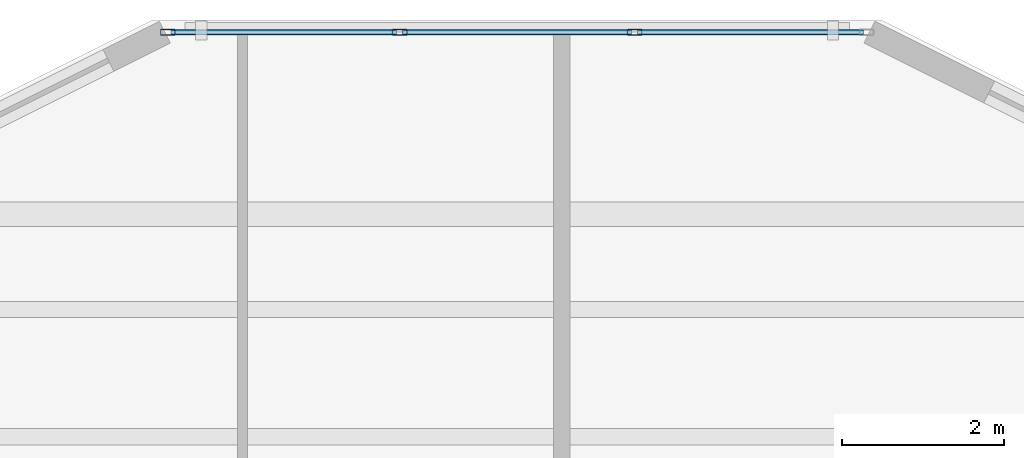
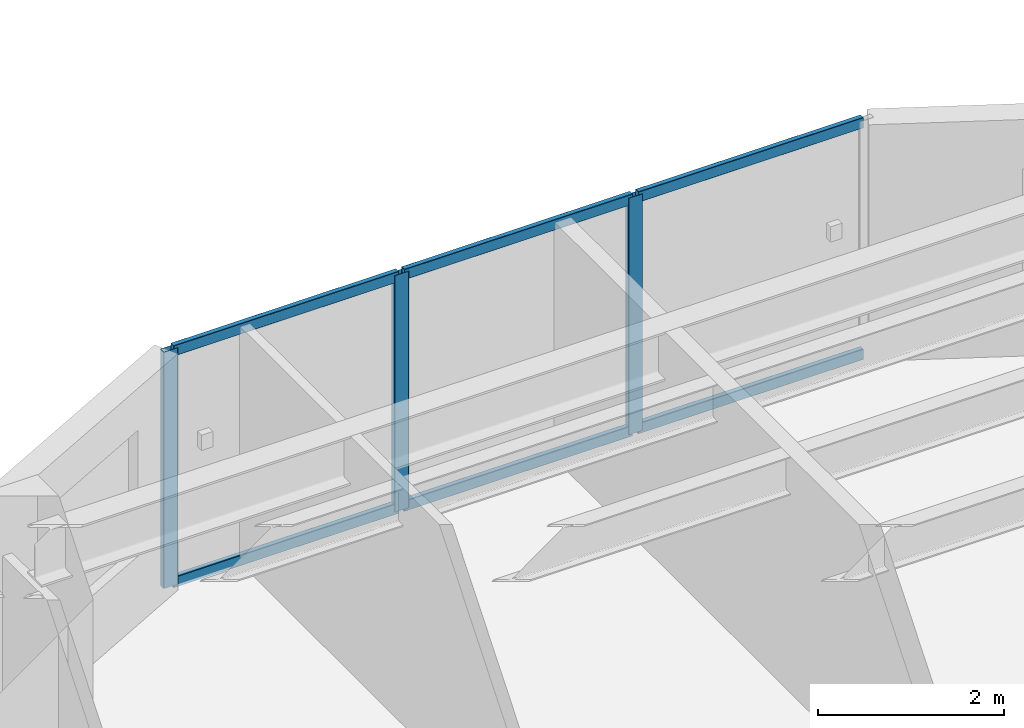
# One storey, part 6 of 20: 9 members, 1 element without a shape of its own.
"""IFC4 building model written with IfcOpenShell, lengths in metres."""

from ifc_helpers import new_model, si_unit, direction, frame, origin, origin_2d, place, context, subcontext, project, spatial, hollow_rectangle, extrude, material, layer, layer_set, material_profile, profile_set, type_object, element, aggregate, save


model = new_model("IFC4")

# Units and contexts
model_context = context("Model", 3, precision=1e-05, world=origin(), true_north=direction((0.0, 1.0)))
body_context = subcontext(model_context, "Body", "Model", "MODEL_VIEW")
ifc_project = project(units=[si_unit("LENGTHUNIT", "METRE"), si_unit("AREAUNIT", "SQUARE_METRE"), si_unit("VOLUMEUNIT", "CUBIC_METRE"), si_unit("PLANEANGLEUNIT", "RADIAN"), si_unit("MASSUNIT", "GRAM", prefix="KILO")], contexts=[model_context])

# Site, building, storey
site_placement = place(None, origin())
site = spatial("IfcSite", under=ifc_project, at=site_placement, CompositionType="ELEMENT")
building_placement = place(site_placement, origin())
building = spatial("IfcBuilding", under=site, at=building_placement, Name="Tarnavaz Court Tower", CompositionType="ELEMENT")
storey_placement = place(building_placement, frame((0.0, 0.0, 34.050048828125)))
storey = spatial("IfcBuildingStorey", under=building, at=storey_placement, Name="L08", CompositionType="ELEMENT", Elevation=34.050048828125)

# Curtain wall, members
ifc_material_1 = material(Name="Anodised Aluminium 6063-T6 and Solar Low-E Glazing", Category="aluminium")
ifc_layer = layer(ifc_material_1, 0.179931640625)
ifc_layer_set = layer_set([ifc_layer], Name="Anodised Aluminium 6063-T6 and Solar Low-E Glazing")
curtain_wall_type = type_object("IfcCurtainWallType", Name="CW-SYS-02", PredefinedType="NOTDEFINED", material=ifc_layer_set)
curtain_wall_placement = place(storey_placement, origin())
curtain_wall = element("IfcCurtainWall", 1, at=curtain_wall_placement, inside=storey, type_object=curtain_wall_type, Name="L08 Iwan Prow Curtain Wall 7", PredefinedType="NOTDEFINED")
ifc_material_2 = material(Name="Anodised Aluminium 6063-T6", Category="aluminium")
ifc_material_profile_1 = material_profile(ifc_material_2, hollow_rectangle(XDim=0.074951171875, YDim=0.179931640625, WallThickness=0.0048828125, InnerFilletRadius=0.0048828125, OuterFilletRadius=0.010009765625, at=origin_2d()), Name="ALU RHS 180X75X5")
ifc_profile_set_1 = profile_set([ifc_material_profile_1], Name="Anodised Aluminium 6063-T6")
member_type_1 = type_object("IfcMemberType", Name="CW-MUL-180", PredefinedType="MULLION", material=ifc_profile_set_1)
member_1_placement = place(storey_placement, frame((-4.3125, 25.050048828125, 0.0), z_axis=(0.0, 0.0, 1.0), x_axis=(0.0, 1.0, 0.0)))
member_1 = element("IfcMember", 2, at=member_1_placement, type_object=member_type_1, Name="CW mullion 1", PredefinedType="MULLION", context=body_context, shape_type="SweptSolid", body=[
    extrude(hollow_rectangle(XDim=0.074951171875, YDim=0.179931640625, WallThickness=0.0048828125, InnerFilletRadius=0.0048828125, OuterFilletRadius=0.010009765625, at=origin_2d()), origin(), (0.0, 0.0, 1.0), 3.099853515625),
])
member_2_placement = place(storey_placement, frame((-1.449951171875, 25.050048828125, 0.0), z_axis=(0.0, 0.0, 1.0), x_axis=(0.0, 1.0, 0.0)))
member_2 = element("IfcMember", 3, at=member_2_placement, type_object=member_type_1, Name="CW mullion 2", PredefinedType="MULLION", context=body_context, shape_type="SweptSolid", body=[
    extrude(hollow_rectangle(XDim=0.074951171875, YDim=0.179931640625, WallThickness=0.0048828125, InnerFilletRadius=0.0048828125, OuterFilletRadius=0.010009765625, at=origin_2d()), origin(), (0.0, 0.0, 1.0), 3.099853515625),
])
member_3_placement = place(storey_placement, frame((1.449951171875, 25.050048828125, 0.0), z_axis=(0.0, 0.0, 1.0), x_axis=(0.0, 1.0, 0.0)))
member_3 = element("IfcMember", 4, at=member_3_placement, type_object=member_type_1, Name="CW mullion 3", PredefinedType="MULLION", context=body_context, shape_type="SweptSolid", body=[
    extrude(hollow_rectangle(XDim=0.074951171875, YDim=0.179931640625, WallThickness=0.0048828125, InnerFilletRadius=0.0048828125, OuterFilletRadius=0.010009765625, at=origin_2d()), origin(), (0.0, 0.0, 1.0), 3.099853515625),
])
ifc_material_profile_2 = material_profile(ifc_material_2, hollow_rectangle(XDim=0.06494140625, YDim=0.139892578125, WallThickness=0.00390625, InnerFilletRadius=0.00390625, OuterFilletRadius=0.008056640625, at=origin_2d()), Name="ALU RHS 140X65X4")
ifc_profile_set_2 = profile_set([ifc_material_profile_2], Name="Anodised Aluminium 6063-T6")
member_type_2 = type_object("IfcMemberType", Name="CW-TRN-140", PredefinedType="USERDEFINED", material=ifc_profile_set_2)
member_4_placement = place(storey_placement, frame((-4.27490234375, 25.050048828125, 0.032470703125), z_axis=(1.0, 0.0, 0.0), x_axis=(0.0, 1.0, 0.0)))
member_4 = element("IfcMember", 5, at=member_4_placement, type_object=member_type_2, Name="CW transom 1.1", ObjectType="TRANSOM", PredefinedType="USERDEFINED", context=body_context, shape_type="SweptSolid", body=[
    extrude(hollow_rectangle(XDim=0.06494140625, YDim=0.139892578125, WallThickness=0.00390625, InnerFilletRadius=0.00390625, OuterFilletRadius=0.008056640625, at=origin_2d()), origin(), (0.0, 0.0, 1.0), 2.787353515625),
])
member_5_placement = place(storey_placement, frame((-4.27490234375, 25.050048828125, 3.0673828125), z_axis=(1.0, 0.0, 0.0), x_axis=(0.0, 1.0, 0.0)))
member_5 = element("IfcMember", 6, at=member_5_placement, type_object=member_type_2, Name="CW transom 1.2", ObjectType="TRANSOM", PredefinedType="USERDEFINED", context=body_context, shape_type="SweptSolid", body=[
    extrude(hollow_rectangle(XDim=0.06494140625, YDim=0.139892578125, WallThickness=0.00390625, InnerFilletRadius=0.00390625, OuterFilletRadius=0.008056640625, at=origin_2d()), origin(), (0.0, 0.0, 1.0), 2.787353515625),
])
member_6_placement = place(storey_placement, frame((-1.41259765625, 25.050048828125, 0.032470703125), z_axis=(1.0, 0.0, 0.0), x_axis=(0.0, 1.0, 0.0)))
member_6 = element("IfcMember", 7, at=member_6_placement, type_object=member_type_2, Name="CW transom 2.1", ObjectType="TRANSOM", PredefinedType="USERDEFINED", context=body_context, shape_type="SweptSolid", body=[
    extrude(hollow_rectangle(XDim=0.06494140625, YDim=0.139892578125, WallThickness=0.00390625, InnerFilletRadius=0.00390625, OuterFilletRadius=0.008056640625, at=origin_2d()), origin(), (0.0, 0.0, 1.0), 2.8251953125),
])
member_7_placement = place(storey_placement, frame((-1.41259765625, 25.050048828125, 3.0673828125), z_axis=(1.0, 0.0, 0.0), x_axis=(0.0, 1.0, 0.0)))
member_7 = element("IfcMember", 8, at=member_7_placement, type_object=member_type_2, Name="CW transom 2.2", ObjectType="TRANSOM", PredefinedType="USERDEFINED", context=body_context, shape_type="SweptSolid", body=[
    extrude(hollow_rectangle(XDim=0.06494140625, YDim=0.139892578125, WallThickness=0.00390625, InnerFilletRadius=0.00390625, OuterFilletRadius=0.008056640625, at=origin_2d()), origin(), (0.0, 0.0, 1.0), 2.8251953125),
])
member_8_placement = place(storey_placement, frame((1.487548828125, 25.050048828125, 0.032470703125), z_axis=(1.0, 0.0, 0.0), x_axis=(0.0, 1.0, 0.0)))
member_8 = element("IfcMember", 9, at=member_8_placement, type_object=member_type_2, Name="CW transom 3.1", ObjectType="TRANSOM", PredefinedType="USERDEFINED", context=body_context, shape_type="SweptSolid", body=[
    extrude(hollow_rectangle(XDim=0.06494140625, YDim=0.139892578125, WallThickness=0.00390625, InnerFilletRadius=0.00390625, OuterFilletRadius=0.008056640625, at=origin_2d()), origin(), (0.0, 0.0, 1.0), 2.787353515625),
])
member_9_placement = place(storey_placement, frame((1.487548828125, 25.050048828125, 3.0673828125), z_axis=(1.0, 0.0, 0.0), x_axis=(0.0, 1.0, 0.0)))
member_9 = element("IfcMember", 10, at=member_9_placement, type_object=member_type_2, Name="CW transom 3.2", ObjectType="TRANSOM", PredefinedType="USERDEFINED", context=body_context, shape_type="SweptSolid", body=[
    extrude(hollow_rectangle(XDim=0.06494140625, YDim=0.139892578125, WallThickness=0.00390625, InnerFilletRadius=0.00390625, OuterFilletRadius=0.008056640625, at=origin_2d()), origin(), (0.0, 0.0, 1.0), 2.787353515625),
])
aggregate(curtain_wall, [member_1, member_2, member_3, member_4, member_5, member_6, member_7, member_8, member_9])

save(model, "model.ifc")
